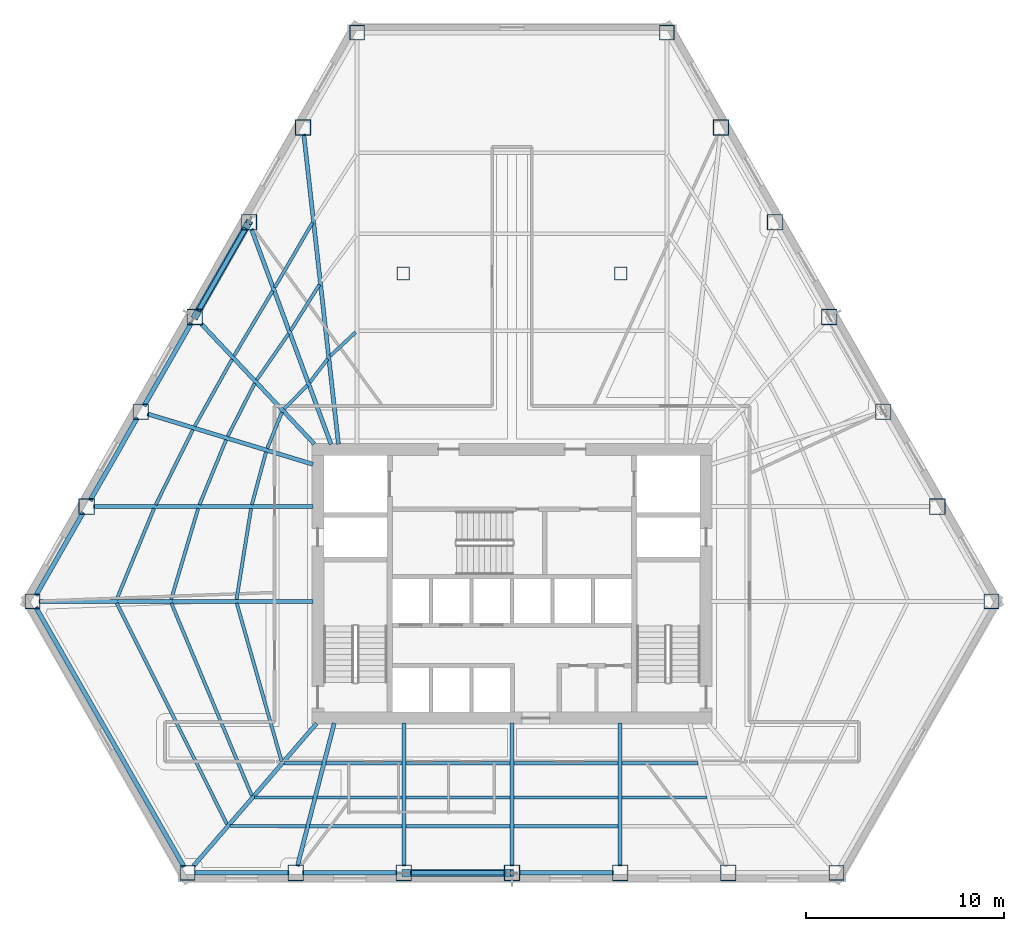
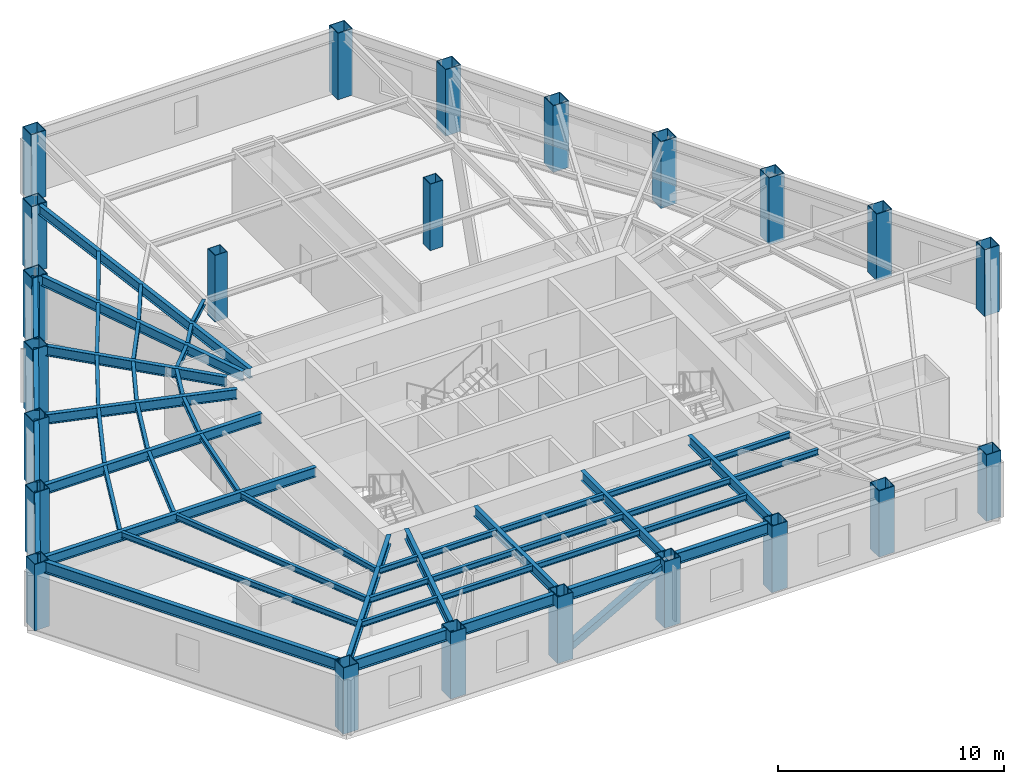
# One storey, part 1 of 11: 53 beams, 23 columns, 2 members.
"""IFC4 building model written with IfcOpenShell, lengths in metres."""

from ifc_helpers import new_model, si_unit, direction, frame, origin, origin_2d, place, context, subcontext, project, spatial, hollow_rectangle, i_section, extrude, material, material_profile, profile_set, type_object, element, save


model = new_model("IFC4")

# Units and contexts
model_context = context("Model", 3, precision=1e-05, world=origin(), true_north=direction((0.0, 1.0)))
body_context = subcontext(model_context, "Body", "Model", "MODEL_VIEW")
ifc_project = project(units=[si_unit("LENGTHUNIT", "METRE"), si_unit("AREAUNIT", "SQUARE_METRE"), si_unit("VOLUMEUNIT", "CUBIC_METRE"), si_unit("PLANEANGLEUNIT", "RADIAN"), si_unit("MASSUNIT", "GRAM", prefix="KILO")], contexts=[model_context])

# Site, building, storey
site_placement = place(None, origin())
site = spatial("IfcSite", under=ifc_project, at=site_placement, CompositionType="ELEMENT")
building_placement = place(site_placement, origin())
building = spatial("IfcBuilding", under=site, at=building_placement, Name="Kavelnor Concourse Tower", CompositionType="ELEMENT")
storey_placement = place(building_placement, frame((0.0, 0.0, 25.25)))
storey = spatial("IfcBuildingStorey", under=building, at=storey_placement, Name="L06", CompositionType="ELEMENT", Elevation=25.25)

# Columns
ifc_material = material(Name="Steel Grade 350", Category="steel")
ifc_material_profile_1 = material_profile(ifc_material, hollow_rectangle(XDim=0.760009765625, YDim=0.760009765625, WallThickness=0.034912109375, at=origin_2d()), Name="SHS 760x760x35")
ifc_profile_set_1 = profile_set([ifc_material_profile_1], Name="Steel Grade 350")
column_type_1 = type_object("IfcColumnType", Name="COL-FOLD-Z1", PredefinedType="COLUMN", material=ifc_profile_set_1)
for number, where, z_axis, x_axis, name in (
    (1, (30.160400390625, 43.9873046875, 0.0), (0.0, 0.0, 1.0), (1.0, 0.0, 0.0), "L06 Perimeter Corner-Fold Column F0-B0"),
    (2, (13.732666015625, 15.206298828125, 0.0), (0.0, 0.0, 1.0), (1.0, 0.0, 0.0), "L06 Perimeter Corner-Fold Column F0-B6"),
    (3, (21.576904296875, 1.462890625, 0.0), (0.0, 0.0, 1.0), (1.0, 0.0, 0.0), "L06 Perimeter Corner-Fold Column F1-B0"),
    (4, (54.423095703125, 1.462890625, 0.0), (0.0, 0.0, 1.0), (1.0, 0.0, 0.0), "L06 Perimeter Corner-Fold Column F1-B6"),
    (5, (62.267333984375, 15.206298828125, 0.0), (0.0, 0.0, 1.0), (1.0, 0.0, 0.0), "L06 Perimeter Corner-Fold Column F2-B0"),
    (6, (45.839599609375, 43.9873046875, 0.0), (0.0, 0.0, 1.0), (1.0, 0.0, 0.0), "L06 Perimeter Corner-Fold Column F2-B6"),
):
    element("IfcColumn", number, at=place(storey_placement, frame(where, z_axis=z_axis, x_axis=x_axis)), inside=storey, type_object=column_type_1, Name=name, PredefinedType="COLUMN", context=body_context, shape_type="SweptSolid", body=[
        extrude(hollow_rectangle(XDim=0.760009765625, YDim=0.760009765625, WallThickness=0.034912109375, at=origin_2d()), origin(), (0.0, 0.0, 1.0), 3.590087890625),
    ])
ifc_material_profile_2 = material_profile(ifc_material, hollow_rectangle(XDim=0.800048828125, YDim=0.800048828125, WallThickness=0.035888671875, at=origin_2d()), Name="SHS 800x800x36")
ifc_profile_set_2 = profile_set([ifc_material_profile_2], Name="Steel Grade 350")
column_type_2 = type_object("IfcColumnType", Name="COL-TUBE-Z1", PredefinedType="COLUMN", material=ifc_profile_set_2)
for number, where, z_axis, x_axis, name in (
    (7, (27.42236328125, 39.1904296875, 0.0), (0.0, 0.0, 1.0), (1.0, 0.0, 0.0), "L06 Perimeter Framed-Tube Column F0-B1"),
    (8, (24.684326171875, 34.393798828125, 0.0), (0.0, 0.0, 1.0), (1.0, 0.0, 0.0), "L06 Perimeter Framed-Tube Column F0-B2"),
    (9, (21.9462890625, 29.5966796875, 0.0), (0.0, 0.0, 1.0), (1.0, 0.0, 0.0), "L06 Perimeter Framed-Tube Column F0-B3"),
    (10, (19.20849609375, 24.7998046875, 0.0), (0.0, 0.0, 1.0), (1.0, 0.0, 0.0), "L06 Perimeter Framed-Tube Column F0-B4"),
    (11, (16.470458984375, 20.003173828125, 0.0), (0.0, 0.0, 1.0), (1.0, 0.0, 0.0), "L06 Perimeter Framed-Tube Column F0-B5"),
    (12, (27.05126953125, 1.462890625, 0.0), (0.0, 0.0, 1.0), (1.0, 0.0, 0.0), "L06 Perimeter Framed-Tube Column F1-B1"),
    (13, (32.525634765625, 1.462890625, 0.0), (0.0, 0.0, 1.0), (1.0, 0.0, 0.0), "L06 Perimeter Framed-Tube Column F1-B2"),
    (14, (38.0, 1.462890625, 0.0), (0.0, 0.0, 1.0), (1.0, 0.0, 0.0), "L06 Perimeter Framed-Tube Column F1-B3"),
    (15, (43.474365234375, 1.462890625, 0.0), (0.0, 0.0, 1.0), (1.0, 0.0, 0.0), "L06 Perimeter Framed-Tube Column F1-B4"),
    (16, (48.94873046875, 1.462890625, 0.0), (0.0, 0.0, 1.0), (1.0, 0.0, 0.0), "L06 Perimeter Framed-Tube Column F1-B5"),
    (17, (59.529541015625, 20.003173828125, 0.0), (0.0, 0.0, 1.0), (1.0, 0.0, 0.0), "L06 Perimeter Framed-Tube Column F2-B1"),
    (18, (56.79150390625, 24.7998046875, 0.0), (0.0, 0.0, 1.0), (1.0, 0.0, 0.0), "L06 Perimeter Framed-Tube Column F2-B2"),
    (19, (54.0537109375, 29.5966796875, 0.0), (0.0, 0.0, 1.0), (1.0, 0.0, 0.0), "L06 Perimeter Framed-Tube Column F2-B3"),
    (20, (51.315673828125, 34.393798828125, 0.0), (0.0, 0.0, 1.0), (1.0, 0.0, 0.0), "L06 Perimeter Framed-Tube Column F2-B4"),
    (21, (48.57763671875, 39.1904296875, 0.0), (0.0, 0.0, 1.0), (1.0, 0.0, 0.0), "L06 Perimeter Framed-Tube Column F2-B5"),
):
    element("IfcColumn", number, at=place(storey_placement, frame(where, z_axis=z_axis, x_axis=x_axis)), inside=storey, type_object=column_type_2, Name=name, PredefinedType="COLUMN", context=body_context, shape_type="SweptSolid", body=[
        extrude(hollow_rectangle(XDim=0.800048828125, YDim=0.800048828125, WallThickness=0.035888671875, at=origin_2d()), origin(), (0.0, 0.0, 1.0), 3.590087890625),
    ])
ifc_material_profile_3 = material_profile(ifc_material, hollow_rectangle(XDim=0.639892578125, YDim=0.639892578125, WallThickness=0.028076171875, at=origin_2d()), Name="SHS 640x640x28")
ifc_profile_set_3 = profile_set([ifc_material_profile_3], Name="Steel Grade 350")
column_type_3 = type_object("IfcColumnType", Name="COL-TUBE-Z3", PredefinedType="COLUMN", material=ifc_profile_set_3)
for number, where, z_axis, x_axis, name in (
    (22, (32.5, 31.800048828125, 0.0), (0.0, 0.0, 1.0), (1.0, 0.0, 0.0), "L06 North Interior Gravity Column BC-NW"),
    (23, (43.5, 31.800048828125, 0.0), (0.0, 0.0, 1.0), (1.0, 0.0, 0.0), "L06 North Interior Gravity Column BC-NE"),
):
    element("IfcColumn", number, at=place(storey_placement, frame(where, z_axis=z_axis, x_axis=x_axis)), inside=storey, type_object=column_type_3, Name=name, PredefinedType="COLUMN", context=body_context, shape_type="SweptSolid", body=[
        extrude(hollow_rectangle(XDim=0.639892578125, YDim=0.639892578125, WallThickness=0.028076171875, at=origin_2d()), origin(), (0.0, 0.0, 1.0), 3.590087890625),
    ])

# Beams
ifc_material_profile_4 = material_profile(ifc_material, i_section(OverallWidth=0.166015625, OverallDepth=0.306884765625, WebThickness=0.006591796875, FlangeThickness=0.01171875, at=origin_2d()), Name="310UB46")
ifc_profile_set_4 = profile_set([ifc_material_profile_4], Name="Steel Grade 350")
beam_type_1 = type_object("IfcBeamType", Name="BM-JOIST-310", PredefinedType="JOIST", material=ifc_profile_set_4)
beam_1_placement = place(storey_placement, frame((24.069580078125, 15.111328125, 3.4365234375), z_axis=(0.27269037015, -0.962101845974, 0.0), x_axis=(0.962101845974, 0.27269037015, 0.0)))
element("IfcBeam", 24, at=beam_1_placement, inside=storey, type_object=beam_type_1, Name="L06 Secondary Composite Joist 01-1", PredefinedType="JOIST", context=body_context, shape_type="SweptSolid", body=[
    extrude(i_section(OverallWidth=0.166015625, OverallDepth=0.306884765625, WebThickness=0.006591796875, FlangeThickness=0.01171875, at=origin_2d()), origin(), (0.0, 0.0, 1.0), 8.32275390625),
])
beam_2_placement = place(storey_placement, frame((20.75732421875, 15.115234375, 3.4365234375), z_axis=(0.38570957059, -0.922620250783, 0.0), x_axis=(0.922620250783, 0.38570957059, 0.0)))
element("IfcBeam", 25, at=beam_2_placement, inside=storey, type_object=beam_type_1, Name="L06 Secondary Composite Joist 01-2", PredefinedType="JOIST", context=body_context, shape_type="SweptSolid", body=[
    extrude(i_section(OverallWidth=0.166015625, OverallDepth=0.306884765625, WebThickness=0.006591796875, FlangeThickness=0.01171875, at=origin_2d()), origin(), (0.0, 0.0, 1.0), 10.564697265625),
])
beam_3_placement = place(storey_placement, frame((17.993896484375, 15.1181640625, 3.4365234375), z_axis=(0.446425153632, -0.894820977741, 0.0), x_axis=(0.894820977741, 0.446425153632, 0.0)))
element("IfcBeam", 26, at=beam_3_placement, inside=storey, type_object=beam_type_1, Name="L06 Secondary Composite Joist 01-3", PredefinedType="JOIST", context=body_context, shape_type="SweptSolid", body=[
    extrude(i_section(OverallWidth=0.166015625, OverallDepth=0.306884765625, WebThickness=0.006591796875, FlangeThickness=0.01171875, at=origin_2d()), origin(), (0.0, 0.0, 1.0), 12.5126953125),
])
beam_4_placement = place(storey_placement, frame((26.464599609375, 7.009521484375, 3.4365234375), z_axis=(0.999998412912, 0.001781620995, 0.0), x_axis=(-0.001781620995, 0.999998412912, 0.0)))
element("IfcBeam", 27, at=beam_4_placement, inside=storey, type_object=beam_type_1, Name="L06 Secondary Composite Joist 02-1", PredefinedType="JOIST", context=body_context, shape_type="SweptSolid", body=[
    extrude(i_section(OverallWidth=0.166015625, OverallDepth=0.306884765625, WebThickness=0.006591796875, FlangeThickness=0.01171875, at=origin_2d()), origin(), (0.0, 0.0, 1.0), 1.91845703125),
])
beam_5_placement = place(storey_placement, frame((24.96875, 5.277099609375, 3.4365234375), z_axis=(0.999999996614, -8.2290981e-05, 0.0), x_axis=(8.2290981e-05, 0.999999996614, 0.0)))
element("IfcBeam", 28, at=beam_5_placement, inside=storey, type_object=beam_type_1, Name="L06 Secondary Composite Joist 02-2", PredefinedType="JOIST", context=body_context, shape_type="SweptSolid", body=[
    extrude(i_section(OverallWidth=0.166015625, OverallDepth=0.306884765625, WebThickness=0.006591796875, FlangeThickness=0.01171875, at=origin_2d()), origin(), (0.0, 0.0, 1.0), 2.966796875),
])
beam_6_placement = place(storey_placement, frame((23.722412109375, 3.83349609375, 3.4365234375), z_axis=(0.999999603933, -0.000890018719, 0.0), x_axis=(0.000890018719, 0.999999603933, 0.0)))
element("IfcBeam", 29, at=beam_6_placement, inside=storey, type_object=beam_type_1, Name="L06 Secondary Composite Joist 02-3", PredefinedType="JOIST", context=body_context, shape_type="SweptSolid", body=[
    extrude(i_section(OverallWidth=0.166015625, OverallDepth=0.306884765625, WebThickness=0.006591796875, FlangeThickness=0.01171875, at=origin_2d()), origin(), (0.0, 0.0, 1.0), 3.84033203125),
])
beam_7_placement = place(storey_placement, frame((28.580078125, 7.01318359375, 3.4365234375), z_axis=(0.999999991945, 0.000126927714, 0.0), x_axis=(-0.000126927714, 0.999999991945, 0.0)))
element("IfcBeam", 30, at=beam_7_placement, inside=storey, type_object=beam_type_1, Name="L06 Secondary Composite Joist 03-1", PredefinedType="JOIST", context=body_context, shape_type="SweptSolid", body=[
    extrude(i_section(OverallWidth=0.166015625, OverallDepth=0.306884765625, WebThickness=0.006591796875, FlangeThickness=0.01171875, at=origin_2d()), origin(), (0.0, 0.0, 1.0), 3.846923828125),
])
beam_8_placement = place(storey_placement, frame((28.132568359375, 5.27685546875, 3.4365234375), z_axis=(0.999999998384, -5.6850483e-05, 0.0), x_axis=(5.6850483e-05, 0.999999998384, 0.0)))
element("IfcBeam", 31, at=beam_8_placement, inside=storey, type_object=beam_type_1, Name="L06 Secondary Composite Joist 03-2", PredefinedType="JOIST", context=body_context, shape_type="SweptSolid", body=[
    extrude(i_section(OverallWidth=0.166015625, OverallDepth=0.306884765625, WebThickness=0.006591796875, FlangeThickness=0.01171875, at=origin_2d()), origin(), (0.0, 0.0, 1.0), 4.29443359375),
])
beam_9_placement = place(storey_placement, frame((27.759765625, 3.829833984375, 3.4365234375), z_axis=(0.999999994527, -0.000104618925, 0.0), x_axis=(0.000104618925, 0.999999994527, 0.0)))
element("IfcBeam", 32, at=beam_9_placement, inside=storey, type_object=beam_type_1, Name="L06 Secondary Composite Joist 03-3", PredefinedType="JOIST", context=body_context, shape_type="SweptSolid", body=[
    extrude(i_section(OverallWidth=0.166015625, OverallDepth=0.306884765625, WebThickness=0.006591796875, FlangeThickness=0.01171875, at=origin_2d()), origin(), (0.0, 0.0, 1.0), 4.667236328125),
])
for number, where, z_axis, x_axis, name in (
    (33, (32.6240234375, 7.013671875, 3.4365234375), (1.0, 0.0, 0.0), (0.0, 1.0, 0.0), "L06 Secondary Composite Joist 04-1"),
    (34, (32.6240234375, 5.276611328125, 3.4365234375), (1.0, 0.0, 0.0), (0.0, 1.0, 0.0), "L06 Secondary Composite Joist 04-2"),
    (35, (32.6240234375, 3.829345703125, 3.4365234375), (1.0, 0.0, 0.0), (0.0, 1.0, 0.0), "L06 Secondary Composite Joist 04-3"),
    (36, (38.098388671875, 7.013671875, 3.4365234375), (1.0, 0.0, 0.0), (0.0, 1.0, 0.0), "L06 Secondary Composite Joist 05-1"),
    (37, (38.098388671875, 5.276611328125, 3.4365234375), (1.0, 0.0, 0.0), (0.0, 1.0, 0.0), "L06 Secondary Composite Joist 05-2"),
    (38, (38.098388671875, 3.829345703125, 3.4365234375), (1.0, 0.0, 0.0), (0.0, 1.0, 0.0), "L06 Secondary Composite Joist 05-3"),
):
    element("IfcBeam", number, at=place(storey_placement, frame(where, z_axis=z_axis, x_axis=x_axis)), inside=storey, type_object=beam_type_1, Name=name, PredefinedType="JOIST", context=body_context, shape_type="SweptSolid", body=[
        extrude(i_section(OverallWidth=0.166015625, OverallDepth=0.306884765625, WebThickness=0.006591796875, FlangeThickness=0.01171875, at=origin_2d()), origin(), (0.0, 0.0, 1.0), 5.277587890625),
    ])
beam_10_placement = place(storey_placement, frame((43.572998046875, 7.013671875, 3.4365234375), z_axis=(0.999999991945, -0.000126927714, 0.0), x_axis=(0.000126927714, 0.999999991945, 0.0)))
element("IfcBeam", 39, at=beam_10_placement, inside=storey, type_object=beam_type_1, Name="L06 Secondary Composite Joist 06-1", PredefinedType="JOIST", context=body_context, shape_type="SweptSolid", body=[
    extrude(i_section(OverallWidth=0.166015625, OverallDepth=0.306884765625, WebThickness=0.006591796875, FlangeThickness=0.01171875, at=origin_2d()), origin(), (0.0, 0.0, 1.0), 3.846923828125),
])
beam_11_placement = place(storey_placement, frame((43.572998046875, 5.276611328125, 3.4365234375), z_axis=(0.999999998384, 5.6850483e-05, 0.0), x_axis=(-5.6850483e-05, 0.999999998384, 0.0)))
element("IfcBeam", 40, at=beam_11_placement, inside=storey, type_object=beam_type_1, Name="L06 Secondary Composite Joist 06-2", PredefinedType="JOIST", context=body_context, shape_type="SweptSolid", body=[
    extrude(i_section(OverallWidth=0.166015625, OverallDepth=0.306884765625, WebThickness=0.006591796875, FlangeThickness=0.01171875, at=origin_2d()), origin(), (0.0, 0.0, 1.0), 4.29443359375),
])
beam_12_placement = place(storey_placement, frame((30.08837890625, 28.8291015625, 3.4365234375), z_axis=(-0.730182552933, -0.683252105297, 0.0), x_axis=(0.683252105297, -0.730182552933, 0.0)))
element("IfcBeam", 41, at=beam_12_placement, inside=storey, type_object=beam_type_1, Name="L06 Secondary Composite Joist 16-1", PredefinedType="JOIST", context=body_context, shape_type="SweptSolid", body=[
    extrude(i_section(OverallWidth=0.166015625, OverallDepth=0.306884765625, WebThickness=0.006591796875, FlangeThickness=0.01171875, at=origin_2d()), origin(), (0.0, 0.0, 1.0), 1.768798828125),
])
beam_13_placement = place(storey_placement, frame((28.66552734375, 27.474853515625, 3.4365234375), z_axis=(-0.602679585657, -0.797983281173, 0.0), x_axis=(0.797983281173, -0.602679585657, 0.0)))
element("IfcBeam", 42, at=beam_13_placement, inside=storey, type_object=beam_type_1, Name="L06 Secondary Composite Joist 17-1", PredefinedType="JOIST", context=body_context, shape_type="SweptSolid", body=[
    extrude(i_section(OverallWidth=0.166015625, OverallDepth=0.306884765625, WebThickness=0.006591796875, FlangeThickness=0.01171875, at=origin_2d()), origin(), (0.0, 0.0, 1.0), 1.485107421875),
])
beam_14_placement = place(storey_placement, frame((28.251220703125, 31.235595703125, 3.4365234375), z_axis=(-0.529990944069, -0.848003301412, 0.0), x_axis=(0.848003301412, -0.529990944069, 0.0)))
element("IfcBeam", 43, at=beam_14_placement, inside=storey, type_object=beam_type_1, Name="L06 Secondary Composite Joist 17-2", PredefinedType="JOIST", context=body_context, shape_type="SweptSolid", body=[
    extrude(i_section(OverallWidth=0.166015625, OverallDepth=0.306884765625, WebThickness=0.006591796875, FlangeThickness=0.01171875, at=origin_2d()), origin(), (0.0, 0.0, 1.0), 2.74462890625),
])
beam_15_placement = place(storey_placement, frame((27.902587890625, 34.3720703125, 3.4365234375), z_axis=(-0.503479668379, -0.864007073772, 0.0), x_axis=(0.864007073772, -0.503479668379, 0.0)))
element("IfcBeam", 44, at=beam_15_placement, inside=storey, type_object=beam_type_1, Name="L06 Secondary Composite Joist 17-3", PredefinedType="JOIST", context=body_context, shape_type="SweptSolid", body=[
    extrude(i_section(OverallWidth=0.166015625, OverallDepth=0.306884765625, WebThickness=0.006591796875, FlangeThickness=0.01171875, at=origin_2d()), origin(), (0.0, 0.0, 1.0), 3.8017578125),
])
beam_16_placement = place(storey_placement, frame((27.64208984375, 26.14111328125, 3.4365234375), z_axis=(-0.701128879379, -0.713034567536, 0.0), x_axis=(0.713034567536, -0.701128879379, 0.0)))
element("IfcBeam", 45, at=beam_16_placement, inside=storey, type_object=beam_type_1, Name="L06 Secondary Composite Joist 18-1", PredefinedType="JOIST", context=body_context, shape_type="SweptSolid", body=[
    extrude(i_section(OverallWidth=0.166015625, OverallDepth=0.306884765625, WebThickness=0.006591796875, FlangeThickness=0.01171875, at=origin_2d()), origin(), (0.0, 0.0, 1.0), 1.681396484375),
])
beam_17_placement = place(storey_placement, frame((26.6884765625, 28.74365234375, 3.4365234375), z_axis=(-0.568219875212, -0.822876766846, 0.0), x_axis=(0.822876766846, -0.568219875212, 0.0)))
element("IfcBeam", 46, at=beam_17_placement, inside=storey, type_object=beam_type_1, Name="L06 Secondary Composite Joist 18-2", PredefinedType="JOIST", context=body_context, shape_type="SweptSolid", body=[
    extrude(i_section(OverallWidth=0.166015625, OverallDepth=0.306884765625, WebThickness=0.006591796875, FlangeThickness=0.01171875, at=origin_2d()), origin(), (0.0, 0.0, 1.0), 2.8349609375),
])
beam_18_placement = place(storey_placement, frame((25.888427734375, 30.917724609375, 3.4365234375), z_axis=(-0.511989436701, -0.85899174426, 0.0), x_axis=(0.85899174426, -0.511989436701, 0.0)))
element("IfcBeam", 47, at=beam_18_placement, inside=storey, type_object=beam_type_1, Name="L06 Secondary Composite Joist 18-3", PredefinedType="JOIST", context=body_context, shape_type="SweptSolid", body=[
    extrude(i_section(OverallWidth=0.166015625, OverallDepth=0.306884765625, WebThickness=0.006591796875, FlangeThickness=0.01171875, at=origin_2d()), origin(), (0.0, 0.0, 1.0), 3.828125),
])
beam_19_placement = place(storey_placement, frame((26.35693359375, 24.78076171875, 3.4365234375), z_axis=(-0.37688079029, -0.926261771807, 0.0), x_axis=(0.926261771807, -0.37688079029, 0.0)))
element("IfcBeam", 48, at=beam_19_placement, inside=storey, type_object=beam_type_1, Name="L06 Secondary Composite Joist 19-1", PredefinedType="JOIST", context=body_context, shape_type="SweptSolid", body=[
    extrude(i_section(OverallWidth=0.166015625, OverallDepth=0.306884765625, WebThickness=0.006591796875, FlangeThickness=0.01171875, at=origin_2d()), origin(), (0.0, 0.0, 1.0), 1.975830078125),
])
beam_20_placement = place(storey_placement, frame((24.97705078125, 26.2421875, 3.4365234375), z_axis=(-0.45359286798, -0.891209015954, 0.0), x_axis=(0.891209015954, -0.45359286798, 0.0)))
element("IfcBeam", 49, at=beam_20_placement, inside=storey, type_object=beam_type_1, Name="L06 Secondary Composite Joist 19-2", PredefinedType="JOIST", context=body_context, shape_type="SweptSolid", body=[
    extrude(i_section(OverallWidth=0.166015625, OverallDepth=0.306884765625, WebThickness=0.006591796875, FlangeThickness=0.01171875, at=origin_2d()), origin(), (0.0, 0.0, 1.0), 3.01025390625),
])
beam_21_placement = place(storey_placement, frame((23.830078125, 27.458740234375, 3.4365234375), z_axis=(-0.486646615233, -0.873598919346, 0.0), x_axis=(0.873598919346, -0.486646615233, 0.0)))
element("IfcBeam", 50, at=beam_21_placement, inside=storey, type_object=beam_type_1, Name="L06 Secondary Composite Joist 19-3", PredefinedType="JOIST", context=body_context, shape_type="SweptSolid", body=[
    extrude(i_section(OverallWidth=0.166015625, OverallDepth=0.306884765625, WebThickness=0.006591796875, FlangeThickness=0.01171875, at=origin_2d()), origin(), (0.0, 0.0, 1.0), 3.881591796875),
])
beam_22_placement = place(storey_placement, frame((25.5498046875, 22.764404296875, 3.4365234375), z_axis=(-0.259044050326, -0.965865508231, 0.0), x_axis=(0.965865508231, -0.259044050326, 0.0)))
element("IfcBeam", 51, at=beam_22_placement, inside=storey, type_object=beam_type_1, Name="L06 Secondary Composite Joist 20-1", PredefinedType="JOIST", context=body_context, shape_type="SweptSolid", body=[
    extrude(i_section(OverallWidth=0.166015625, OverallDepth=0.306884765625, WebThickness=0.006591796875, FlangeThickness=0.01171875, at=origin_2d()), origin(), (0.0, 0.0, 1.0), 2.760498046875),
])
beam_23_placement = place(storey_placement, frame((23.529541015625, 23.380615234375, 3.4365234375), z_axis=(-0.379764488657, -0.925083203369, 0.0), x_axis=(0.925083203369, -0.379764488657, 0.0)))
element("IfcBeam", 52, at=beam_23_placement, inside=storey, type_object=beam_type_1, Name="L06 Secondary Composite Joist 20-2", PredefinedType="JOIST", context=body_context, shape_type="SweptSolid", body=[
    extrude(i_section(OverallWidth=0.166015625, OverallDepth=0.306884765625, WebThickness=0.006591796875, FlangeThickness=0.01171875, at=origin_2d()), origin(), (0.0, 0.0, 1.0), 3.552490234375),
])
beam_24_placement = place(storey_placement, frame((21.849609375, 23.8935546875, 3.4365234375), z_axis=(-0.444127359241, -0.895963664873, 0.0), x_axis=(0.895963664873, -0.444127359241, 0.0)))
element("IfcBeam", 53, at=beam_24_placement, inside=storey, type_object=beam_type_1, Name="L06 Secondary Composite Joist 20-3", PredefinedType="JOIST", context=body_context, shape_type="SweptSolid", body=[
    extrude(i_section(OverallWidth=0.166015625, OverallDepth=0.306884765625, WebThickness=0.006591796875, FlangeThickness=0.01171875, at=origin_2d()), origin(), (0.0, 0.0, 1.0), 4.24365234375),
])
beam_25_placement = place(storey_placement, frame((24.793701171875, 19.90576171875, 3.4365234375), z_axis=(-0.157778022927, -0.98747460498, 0.0), x_axis=(0.98747460498, -0.157778022927, 0.0)))
element("IfcBeam", 54, at=beam_25_placement, inside=storey, type_object=beam_type_1, Name="L06 Secondary Composite Joist 21-1", PredefinedType="JOIST", context=body_context, shape_type="SweptSolid", body=[
    extrude(i_section(OverallWidth=0.166015625, OverallDepth=0.306884765625, WebThickness=0.006591796875, FlangeThickness=0.01171875, at=origin_2d()), origin(), (0.0, 0.0, 1.0), 4.66064453125),
])
beam_26_placement = place(storey_placement, frame((22.114990234375, 19.90869140625, 3.4365234375), z_axis=(-0.284527543542, -0.958667865825, 0.0), x_axis=(0.958667865825, -0.284527543542, 0.0)))
element("IfcBeam", 55, at=beam_26_placement, inside=storey, type_object=beam_type_1, Name="L06 Secondary Composite Joist 21-2", PredefinedType="JOIST", context=body_context, shape_type="SweptSolid", body=[
    extrude(i_section(OverallWidth=0.166015625, OverallDepth=0.306884765625, WebThickness=0.006591796875, FlangeThickness=0.01171875, at=origin_2d()), origin(), (0.0, 0.0, 1.0), 4.806884765625),
])
beam_27_placement = place(storey_placement, frame((19.8837890625, 19.912109375, 3.4365234375), z_axis=(-0.380114739322, -0.924939341228, 0.0), x_axis=(0.924939341228, -0.380114739322, 0.0)))
element("IfcBeam", 56, at=beam_27_placement, inside=storey, type_object=beam_type_1, Name="L06 Secondary Composite Joist 21-3", PredefinedType="JOIST", context=body_context, shape_type="SweptSolid", body=[
    extrude(i_section(OverallWidth=0.166015625, OverallDepth=0.306884765625, WebThickness=0.006591796875, FlangeThickness=0.01171875, at=origin_2d()), origin(), (0.0, 0.0, 1.0), 4.9892578125),
])
ifc_material_profile_5 = material_profile(ifc_material, i_section(OverallWidth=0.208984375, OverallDepth=0.528076171875, WebThickness=0.009521484375, FlangeThickness=0.01318359375, at=origin_2d()), Name="530UB82")
ifc_profile_set_5 = profile_set([ifc_material_profile_5], Name="Steel Grade 350")
beam_type_2 = type_object("IfcBeamType", Name="BM-PRIMARY-530", PredefinedType="BEAM", material=ifc_profile_set_5)
beam_28_placement = place(storey_placement, frame((29.216552734375, 23.16015625, 3.325927734375), z_axis=(-0.111229182439, 0.993794782123, 0.0), x_axis=(-0.993794782123, -0.111229182439, 0.0)))
element("IfcBeam", 57, at=beam_28_placement, inside=storey, type_object=beam_type_2, Name="L06 Primary Floor Girder F0-B1", PredefinedType="BEAM", context=body_context, shape_type="SweptSolid", body=[
    extrude(i_section(OverallWidth=0.208984375, OverallDepth=0.528076171875, WebThickness=0.009521484375, FlangeThickness=0.01318359375, at=origin_2d()), origin(), (0.0, 0.0, 1.0), 15.7880859375),
])
beam_29_placement = place(storey_placement, frame((28.839111328125, 23.16259765625, 3.325927734375), z_axis=(-0.346953391469, 0.937882372235, 0.0), x_axis=(-0.937882372235, -0.346953391469, 0.0)))
element("IfcBeam", 58, at=beam_29_placement, inside=storey, type_object=beam_type_2, Name="L06 Primary Floor Girder F0-B2", PredefinedType="BEAM", context=body_context, shape_type="SweptSolid", body=[
    extrude(i_section(OverallWidth=0.208984375, OverallDepth=0.528076171875, WebThickness=0.009521484375, FlangeThickness=0.01318359375, at=origin_2d()), origin(), (0.0, 0.0, 1.0), 11.60986328125),
])
beam_30_placement = place(storey_placement, frame((27.995361328125, 23.1708984375, 3.325927734375), z_axis=(-0.685437716823, 0.728131263136, 0.0), x_axis=(-0.728131263136, -0.685437716823, 0.0)))
element("IfcBeam", 59, at=beam_30_placement, inside=storey, type_object=beam_type_2, Name="L06 Primary Floor Girder F0-B3", PredefinedType="BEAM", context=body_context, shape_type="SweptSolid", body=[
    extrude(i_section(OverallWidth=0.208984375, OverallDepth=0.528076171875, WebThickness=0.009521484375, FlangeThickness=0.01318359375, at=origin_2d()), origin(), (0.0, 0.0, 1.0), 8.34326171875),
])
beam_31_placement = place(storey_placement, frame((27.918212890625, 22.1455078125, 3.325927734375), z_axis=(-0.956561257848, 0.291531404799, 0.0), x_axis=(-0.291531404799, -0.956561257848, 0.0)))
element("IfcBeam", 60, at=beam_31_placement, inside=storey, type_object=beam_type_2, Name="L06 Primary Floor Girder F0-B4", PredefinedType="BEAM", context=body_context, shape_type="SweptSolid", body=[
    extrude(i_section(OverallWidth=0.208984375, OverallDepth=0.528076171875, WebThickness=0.009521484375, FlangeThickness=0.01318359375, at=origin_2d()), origin(), (0.0, 0.0, 1.0), 8.747802734375),
])
beam_32_placement = place(storey_placement, frame((27.919921875, 20.003173828125, 3.325927734375), z_axis=(-1.0, 0.0, 0.0), x_axis=(0.0, -1.0, 0.0)))
element("IfcBeam", 61, at=beam_32_placement, inside=storey, type_object=beam_type_2, Name="L06 Primary Floor Girder F0-B5", PredefinedType="BEAM", context=body_context, shape_type="SweptSolid", body=[
    extrude(i_section(OverallWidth=0.208984375, OverallDepth=0.528076171875, WebThickness=0.009521484375, FlangeThickness=0.01318359375, at=origin_2d()), origin(), (0.0, 0.0, 1.0), 11.109375),
])
beam_33_placement = place(storey_placement, frame((27.919921875, 15.206298828125, 3.325927734375), z_axis=(-1.0, 0.0, 0.0), x_axis=(0.0, -1.0, 0.0)))
element("IfcBeam", 62, at=beam_33_placement, inside=storey, type_object=beam_type_2, Name="L06 Primary Floor Girder F0-B6", PredefinedType="BEAM", context=body_context, shape_type="SweptSolid", body=[
    extrude(i_section(OverallWidth=0.208984375, OverallDepth=0.528076171875, WebThickness=0.009521484375, FlangeThickness=0.01318359375, at=origin_2d()), origin(), (0.0, 0.0, 1.0), 13.847412109375),
])
beam_34_placement = place(storey_placement, frame((28.111083984375, 9.0302734375, 3.325927734375), z_axis=(-0.653538546599, -0.756893234287, 0.0), x_axis=(0.756893234287, -0.653538546599, 0.0)))
element("IfcBeam", 63, at=beam_34_placement, inside=storey, type_object=beam_type_2, Name="L06 Primary Floor Girder F1-B0", PredefinedType="BEAM", context=body_context, shape_type="SweptSolid", body=[
    extrude(i_section(OverallWidth=0.208984375, OverallDepth=0.528076171875, WebThickness=0.009521484375, FlangeThickness=0.01318359375, at=origin_2d()), origin(), (0.0, 0.0, 1.0), 9.5361328125),
])
beam_35_placement = place(storey_placement, frame((29.00341796875, 9.038818359375, 3.325927734375), z_axis=(-0.249534064599, -0.968366020988, 0.0), x_axis=(0.968366020988, -0.249534064599, 0.0)))
element("IfcBeam", 64, at=beam_35_placement, inside=storey, type_object=beam_type_2, Name="L06 Primary Floor Girder F1-B1", PredefinedType="BEAM", context=body_context, shape_type="SweptSolid", body=[
    extrude(i_section(OverallWidth=0.208984375, OverallDepth=0.528076171875, WebThickness=0.009521484375, FlangeThickness=0.01318359375, at=origin_2d()), origin(), (0.0, 0.0, 1.0), 7.470947265625),
])
for number, where, z_axis, x_axis, name in (
    (65, (32.525634765625, 9.0400390625, 3.325927734375), (0.0, -1.0, 0.0), (1.0, 0.0, 0.0), "L06 Primary Floor Girder F1-B2"),
    (66, (38.0, 9.0400390625, 3.325927734375), (0.0, -1.0, 0.0), (1.0, 0.0, 0.0), "L06 Primary Floor Girder F1-B3"),
    (67, (43.474365234375, 9.0400390625, 3.325927734375), (0.0, -1.0, 0.0), (1.0, 0.0, 0.0), "L06 Primary Floor Girder F1-B4"),
):
    element("IfcBeam", number, at=place(storey_placement, frame(where, z_axis=z_axis, x_axis=x_axis)), inside=storey, type_object=beam_type_2, Name=name, PredefinedType="BEAM", context=body_context, shape_type="SweptSolid", body=[
        extrude(i_section(OverallWidth=0.208984375, OverallDepth=0.528076171875, WebThickness=0.009521484375, FlangeThickness=0.01318359375, at=origin_2d()), origin(), (0.0, 0.0, 1.0), 7.237060546875),
    ])
ifc_material_profile_6 = material_profile(ifc_material, i_section(OverallWidth=0.22900390625, OverallDepth=0.612060546875, WebThickness=0.011962890625, FlangeThickness=0.01953125, at=origin_2d()), Name="610UB125")
ifc_profile_set_6 = profile_set([ifc_material_profile_6], Name="Steel Grade 350")
beam_type_3 = type_object("IfcBeamType", Name="BM-SPANDREL-Z1", PredefinedType="SPANDREL", material=ifc_profile_set_6)
for number, where, z_axis, x_axis, name in (
    (68, (24.513427734375, 34.093994140625, 3.283935546875), (-0.495736333855, -0.868473078049, 0.0), (0.868473078049, -0.495736333855, 0.0), "L06 Perimeter Tube Spandrel Beam F0-B2"),
    (69, (21.775390625, 29.297119140625, 3.283935546875), (-0.495736333855, -0.868473078049, 0.0), (0.868473078049, -0.495736333855, 0.0), "L06 Perimeter Tube Spandrel Beam F0-B3"),
    (70, (19.03759765625, 24.500244140625, 3.283935546875), (-0.495736333855, -0.868473078049, 0.0), (0.868473078049, -0.495736333855, 0.0), "L06 Perimeter Tube Spandrel Beam F0-B4"),
):
    element("IfcBeam", number, at=place(storey_placement, frame(where, z_axis=z_axis, x_axis=x_axis)), inside=storey, type_object=beam_type_3, Name=name, PredefinedType="SPANDREL", context=body_context, shape_type="SweptSolid", body=[
        extrude(i_section(OverallWidth=0.22900390625, OverallDepth=0.612060546875, WebThickness=0.011962890625, FlangeThickness=0.01953125, at=origin_2d()), origin(), (0.0, 0.0, 1.0), 4.833251953125),
    ])
beam_36_placement = place(storey_placement, frame((16.299560546875, 19.70361328125, 3.283935546875), z_axis=(-0.49571458703, -0.868485491074, 0.0), x_axis=(0.868485491074, -0.49571458703, 0.0)))
element("IfcBeam", 71, at=beam_36_placement, inside=storey, type_object=beam_type_3, Name="L06 Perimeter Tube Spandrel Beam F0-B5", PredefinedType="SPANDREL", context=body_context, shape_type="SweptSolid", body=[
    extrude(i_section(OverallWidth=0.22900390625, OverallDepth=0.612060546875, WebThickness=0.011962890625, FlangeThickness=0.01953125, at=origin_2d()), origin(), (0.0, 0.0, 1.0), 4.83349609375),
])
for number, where, z_axis, x_axis, name in (
    (72, (21.921875, 1.462890625, 3.283935546875), (1.0, 0.0, 0.0), (0.0, 1.0, 0.0), "L06 Perimeter Tube Spandrel Beam F1-B0"),
    (73, (27.396240234375, 1.462890625, 3.283935546875), (1.0, 0.0, 0.0), (0.0, 1.0, 0.0), "L06 Perimeter Tube Spandrel Beam F1-B1"),
    (74, (32.87060546875, 1.462890625, 3.283935546875), (1.0, 0.0, 0.0), (0.0, 1.0, 0.0), "L06 Perimeter Tube Spandrel Beam F1-B2"),
    (75, (38.344970703125, 1.462890625, 3.283935546875), (1.0, 0.0, 0.0), (0.0, 1.0, 0.0), "L06 Perimeter Tube Spandrel Beam F1-B3"),
):
    element("IfcBeam", number, at=place(storey_placement, frame(where, z_axis=z_axis, x_axis=x_axis)), inside=storey, type_object=beam_type_3, Name=name, PredefinedType="SPANDREL", context=body_context, shape_type="SweptSolid", body=[
        extrude(i_section(OverallWidth=0.22900390625, OverallDepth=0.612060546875, WebThickness=0.011962890625, FlangeThickness=0.01953125, at=origin_2d()), origin(), (0.0, 0.0, 1.0), 4.784423828125),
    ])
beam_37_placement = place(storey_placement, frame((13.903564453125, 14.906494140625, 3.283935546875), z_axis=(0.495718470628, -0.86848327438, 0.0), x_axis=(0.86848327438, 0.495718470628, 0.0)))
element("IfcBeam", 76, at=beam_37_placement, inside=storey, type_object=beam_type_3, Name="L06 Chamfer Facet Spandrel Beam C1", PredefinedType="SPANDREL", context=body_context, shape_type="SweptSolid", body=[
    extrude(i_section(OverallWidth=0.22900390625, OverallDepth=0.612060546875, WebThickness=0.011962890625, FlangeThickness=0.01953125, at=origin_2d()), origin(), (0.0, 0.0, 1.0), 15.134521484375),
])

# Members
ifc_material_profile_7 = material_profile(ifc_material, hollow_rectangle(XDim=0.35009765625, YDim=0.35009765625, WallThickness=0.02001953125, at=origin_2d()), Name="SHS 350x350x20")
ifc_profile_set_7 = profile_set([ifc_material_profile_7], Name="Steel Grade 350")
member_type = type_object("IfcMemberType", Name="MBR-TUBE-DIAG-Z1", PredefinedType="BRACE", material=ifc_profile_set_7)
member_1_placement = place(storey_placement, frame((21.9462890625, 29.5966796875, 0.219970703125), z_axis=(0.433479710964, 0.759468822179, 0.485079837058), x_axis=(-0.868490555428, 0.495705714241, 0.0)))
element("IfcMember", 77, at=member_1_placement, inside=storey, type_object=member_type, Name="L06 Framed-Tube Bracing Diagonal F0-B2", PredefinedType="BRACE", context=body_context, shape_type="SweptSolid", body=[
    extrude(hollow_rectangle(XDim=0.35009765625, YDim=0.35009765625, WallThickness=0.02001953125, at=origin_2d()), origin(), (0.0, 0.0, 1.0), 6.31640625),
])
member_2_placement = place(storey_placement, frame((32.525634765625, 1.462890625, 0.219970703125), z_axis=(0.872620133974, 0.0, 0.4883995309), x_axis=(0.0, 1.0, 0.0)))
element("IfcMember", 78, at=member_2_placement, inside=storey, type_object=member_type, Name="L06 Framed-Tube Bracing Diagonal F1-B2", PredefinedType="BRACE", context=body_context, shape_type="SweptSolid", body=[
    extrude(hollow_rectangle(XDim=0.35009765625, YDim=0.35009765625, WallThickness=0.02001953125, at=origin_2d()), origin(), (0.0, 0.0, 1.0), 6.2734375),
])

save(model, "model.ifc")
